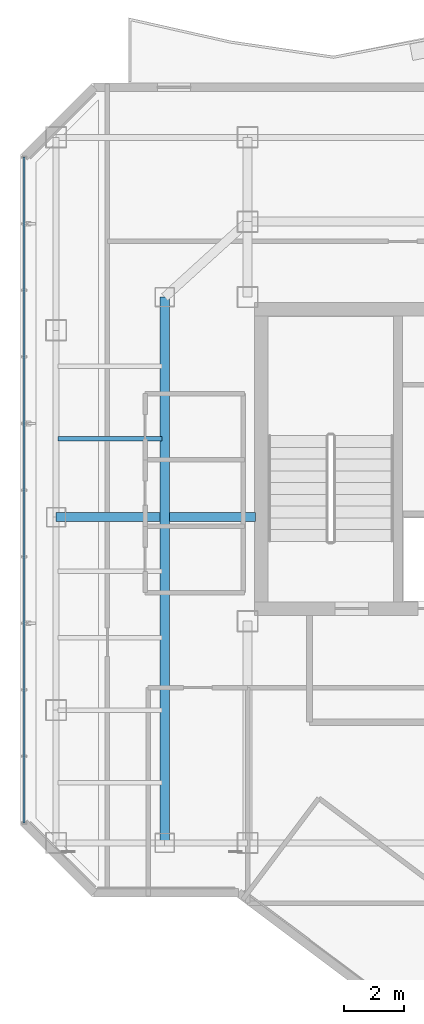
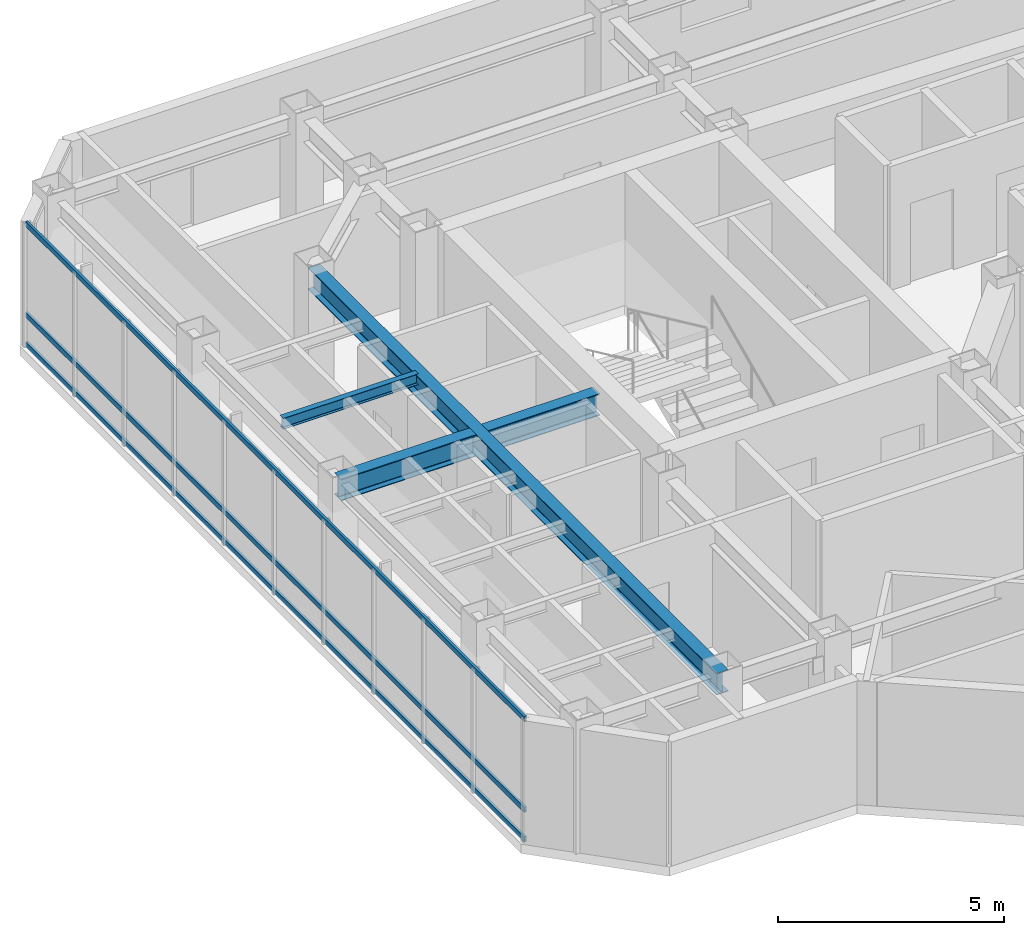
# One storey, part 7 of 25: 4 beams, 3 members, 1 element without a shape of its own.
"""IFC4 building model written with IfcOpenShell, lengths in metres."""

from ifc_helpers import new_model, si_unit, direction, frame, origin, origin_2d, place, context, subcontext, project, spatial, hollow_rectangle, i_section, extrude, material, layer, layer_set, material_profile, profile_set, type_object, element, aggregate, save


model = new_model("IFC4")

# Units and contexts
model_context = context("Model", 3, precision=1e-05, world=origin(), true_north=direction((0.0, 1.0)))
body_context = subcontext(model_context, "Body", "Model", "MODEL_VIEW")
ifc_project = project(units=[si_unit("LENGTHUNIT", "METRE"), si_unit("AREAUNIT", "SQUARE_METRE"), si_unit("VOLUMEUNIT", "CUBIC_METRE"), si_unit("PLANEANGLEUNIT", "RADIAN"), si_unit("MASSUNIT", "GRAM", prefix="KILO")], contexts=[model_context])

# Site, building, storey
site_placement = place(None, origin())
site = spatial("IfcSite", under=ifc_project, at=site_placement, CompositionType="ELEMENT")
building_placement = place(site_placement, origin())
building = spatial("IfcBuilding", under=site, at=building_placement, Name="Hatsunagi Terrace Concourse", CompositionType="ELEMENT")
storey_placement = place(building_placement, frame((0.0, 0.0, 220.35009765625)))
storey = spatial("IfcBuildingStorey", under=building, at=storey_placement, Name="L58", CompositionType="ELEMENT", Elevation=220.35009765625)

# Curtain wall, members
ifc_material_1 = material(Name="Anodised Aluminium Alloy 6063-T5", Category="aluminium")
ifc_layer = layer(ifc_material_1, 0.199951171875)
ifc_layer_set = layer_set([ifc_layer], Name="OfficeZone2_CW04")
curtain_wall_type = type_object("IfcCurtainWallType", Name="OfficeZone2_CW04", PredefinedType="NOTDEFINED", material=ifc_layer_set)
curtain_wall_placement = place(storey_placement, origin())
curtain_wall = element("IfcCurtainWall", 1, at=curtain_wall_placement, inside=storey, type_object=curtain_wall_type, Name="Unitised Curtain Wall CW-04 CW-L58-08", PredefinedType="NOTDEFINED")
ifc_material_2 = material(Name="Anodised Aluminium Alloy 6063-T5", Category="aluminium")
ifc_material_profile_1 = material_profile(ifc_material_2, hollow_rectangle(XDim=0.06494140625, YDim=0.139892578125, WallThickness=0.00390625, at=origin_2d()), Name="ALU-TRN-140x65x4")
ifc_profile_set_1 = profile_set([ifc_material_profile_1], Name="Anodised Aluminium Alloy 6063-T5")
member_type = type_object("IfcMemberType", Name="CurtainWallTransom_140x65", PredefinedType="USERDEFINED", material=ifc_profile_set_1)
member_1_placement = place(storey_placement, frame((18.139892578125, 25.85791015625, 0.0498046875), z_axis=(0.0, 1.0, 0.0), x_axis=(-1.0, 0.0, 0.0)))
member_1 = element("IfcMember", 2, at=member_1_placement, type_object=member_type, Name="Curtain Wall Transom TRN-02", ObjectType="TRANSOM", PredefinedType="USERDEFINED", context=body_context, shape_type="SweptSolid", body=[
    extrude(hollow_rectangle(XDim=0.06494140625, YDim=0.139892578125, WallThickness=0.00390625, at=origin_2d()), origin(), (0.0, 0.0, 1.0), 22.083984375),
])
member_2_placement = place(storey_placement, frame((18.139892578125, 25.85791015625, 0.849853515625), z_axis=(0.0, 1.0, 0.0), x_axis=(-1.0, 0.0, 0.0)))
member_2 = element("IfcMember", 3, at=member_2_placement, type_object=member_type, Name="Curtain Wall Transom TRN-02", ObjectType="TRANSOM", PredefinedType="USERDEFINED", context=body_context, shape_type="SweptSolid", body=[
    extrude(hollow_rectangle(XDim=0.06494140625, YDim=0.139892578125, WallThickness=0.00390625, at=origin_2d()), origin(), (0.0, 0.0, 1.0), 22.083984375),
])
member_3_placement = place(storey_placement, frame((18.139892578125, 25.85791015625, 3.2998046875), z_axis=(0.0, 1.0, 0.0), x_axis=(-1.0, 0.0, 0.0)))
member_3 = element("IfcMember", 4, at=member_3_placement, type_object=member_type, Name="Curtain Wall Transom TRN-02", ObjectType="TRANSOM", PredefinedType="USERDEFINED", context=body_context, shape_type="SweptSolid", body=[
    extrude(hollow_rectangle(XDim=0.06494140625, YDim=0.139892578125, WallThickness=0.00390625, at=origin_2d()), origin(), (0.0, 0.0, 1.0), 22.083984375),
])
aggregate(curtain_wall, [member_1, member_2, member_3])

# Beams
ifc_material_3 = material(Name="Steel SN490B", Category="steel")
ifc_material_profile_2 = material_profile(ifc_material_3, i_section(OverallWidth=0.300048828125, OverallDepth=0.587890625, WebThickness=0.011962890625, FlangeThickness=0.02001953125, FilletRadius=0.01806640625, at=origin_2d()), Name="H-588x300x12x20")
ifc_profile_set_2 = profile_set([ifc_material_profile_2], Name="Steel SN490B")
beam_type_1 = type_object("IfcBeamType", Name="OfficeHighGirder_H_588x300", PredefinedType="BEAM", material=ifc_profile_set_2)
beam_1_placement = place(storey_placement, frame((22.800048828125, 25.199951171875, 3.055908203125), z_axis=(0.0, 1.0, 0.0), x_axis=(-1.0, 0.0, 0.0)))
element("IfcBeam", 5, at=beam_1_placement, inside=storey, type_object=beam_type_1, Name="Beam G-06 BM-L58-CWNS", PredefinedType="BEAM", context=body_context, shape_type="SweptSolid", body=[
    extrude(i_section(OverallWidth=0.300048828125, OverallDepth=0.587890625, WebThickness=0.011962890625, FlangeThickness=0.02001953125, FilletRadius=0.01806640625, at=origin_2d()), origin(), (0.0, 0.0, 1.0), 18.10009765625),
])
beam_2_placement = place(storey_placement, frame((19.199951171875, 36.0, 3.055908203125), z_axis=(1.0, 0.0, 0.0), x_axis=(0.0, 1.0, 0.0)))
element("IfcBeam", 6, at=beam_2_placement, inside=storey, type_object=beam_type_1, Name="Beam G-06 BM-L58-EW-3", PredefinedType="BEAM", context=body_context, shape_type="SweptSolid", body=[
    extrude(i_section(OverallWidth=0.300048828125, OverallDepth=0.587890625, WebThickness=0.011962890625, FlangeThickness=0.02001953125, FilletRadius=0.01806640625, at=origin_2d()), origin(), (0.0, 0.0, 1.0), 3.449951171875),
])
beam_3_placement = place(storey_placement, frame((22.949951171875, 36.0, 3.055908203125), z_axis=(1.0, 0.0, 0.0), x_axis=(0.0, 1.0, 0.0)))
element("IfcBeam", 7, at=beam_3_placement, inside=storey, type_object=beam_type_1, Name="Beam G-06 BM-L58-EW-4", PredefinedType="BEAM", context=body_context, shape_type="SweptSolid", body=[
    extrude(i_section(OverallWidth=0.300048828125, OverallDepth=0.587890625, WebThickness=0.011962890625, FlangeThickness=0.02001953125, FilletRadius=0.01806640625, at=origin_2d()), origin(), (0.0, 0.0, 1.0), 2.860107421875),
])
ifc_material_4 = material(Name="Steel SN490B", Category="steel")
ifc_material_profile_3 = material_profile(ifc_material_4, i_section(OverallWidth=0.14990234375, OverallDepth=0.300048828125, WebThickness=0.006591796875, FlangeThickness=0.009033203125, FilletRadius=0.010986328125, at=origin_2d()), Name="H-300x150x6.5x9")
ifc_profile_set_3 = profile_set([ifc_material_profile_3], Name="Steel SN490B")
beam_type_2 = type_object("IfcBeamType", Name="OfficeJoist_H_300x150", PredefinedType="JOIST", material=ifc_profile_set_3)
beam_4_placement = place(storey_placement, frame((19.264892578125, 38.60009765625, 3.199951171875), z_axis=(1.0, 0.0, 0.0), x_axis=(0.0, 1.0, 0.0)))
element("IfcBeam", 8, at=beam_4_placement, inside=storey, type_object=beam_type_2, Name="Beam J-03 J-L58-W-19-386", PredefinedType="JOIST", context=body_context, shape_type="SweptSolid", body=[
    extrude(i_section(OverallWidth=0.14990234375, OverallDepth=0.300048828125, WebThickness=0.006591796875, FlangeThickness=0.009033203125, FilletRadius=0.010986328125, at=origin_2d()), origin(), (0.0, 0.0, 1.0), 3.4501953125),
])

save(model, "model.ifc")
